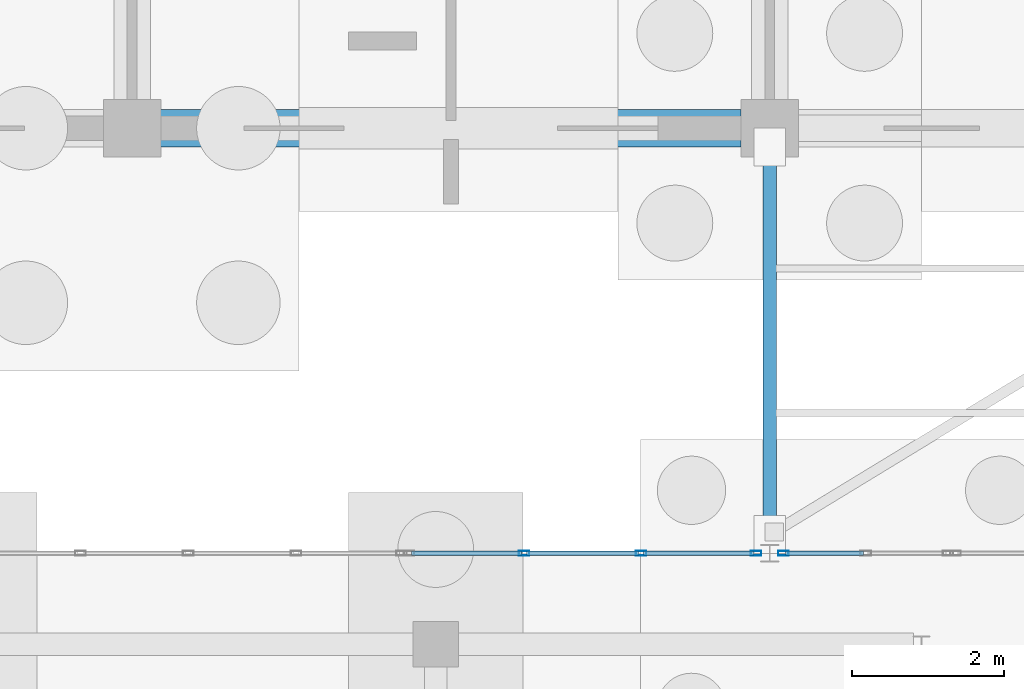
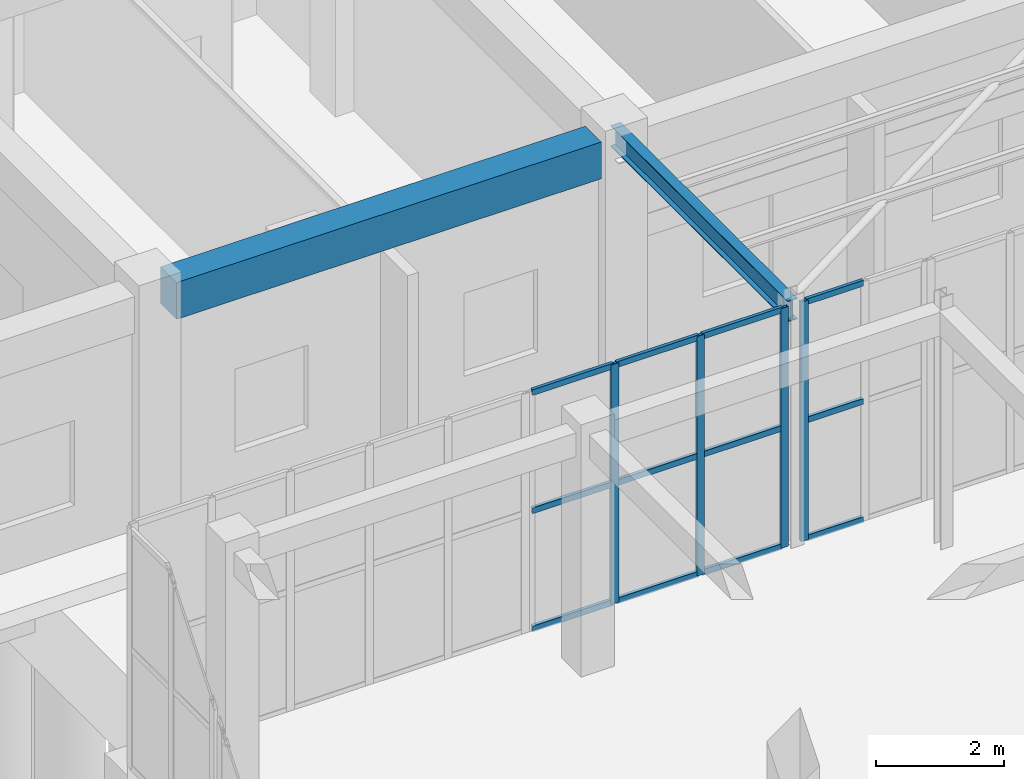
# One storey, part 91 of 192: 16 members, 2 beams, 2 elements without a shape of their own.
"""IFC4 building model written with IfcOpenShell, lengths in metres."""

from ifc_helpers import new_model, si_unit, direction, frame, origin, origin_2d, place, context, subcontext, project, spatial, rectangle, hollow_rectangle, i_section, extrude, material, layer, layer_set, material_profile, profile_set, type_object, element, aggregate, save


model = new_model("IFC4")

# Units and contexts
model_context = context("Model", 3, precision=1e-05, world=origin(), true_north=direction((0.0, 1.0)))
body_context = subcontext(model_context, "Body", "Model", "MODEL_VIEW")
ifc_project = project(units=[si_unit("LENGTHUNIT", "METRE"), si_unit("AREAUNIT", "SQUARE_METRE"), si_unit("VOLUMEUNIT", "CUBIC_METRE"), si_unit("PLANEANGLEUNIT", "RADIAN"), si_unit("MASSUNIT", "GRAM", prefix="KILO")], contexts=[model_context])

# Site, building, storey
site_placement = place(None, origin())
site = spatial("IfcSite", under=ifc_project, at=site_placement, CompositionType="ELEMENT")
building_placement = place(site_placement, origin())
building = spatial("IfcBuilding", under=site, at=building_placement, Name="Trelvath General Hospital", CompositionType="ELEMENT")
storey_placement = place(building_placement, origin())
storey = spatial("IfcBuildingStorey", under=building, at=storey_placement, Name="L00", CompositionType="ELEMENT", Elevation=0.0)

# Beams
ifc_material_1 = material(Name="Concrete C35/45", Category="concrete")
ifc_material_profile_1 = material_profile(ifc_material_1, rectangle(XDim=0.5, YDim=0.699951171875, at=origin_2d()), Name="RCB500x700")
ifc_profile_set_1 = profile_set([ifc_material_profile_1], Name="Concrete C35/45")
beam_type_1 = type_object("IfcBeamType", Name="Beam RC500x700", PredefinedType="BEAM", material=ifc_profile_set_1)
beam_1_placement = place(storey_placement, frame((50.77490234375, 92.39990234375, 4.169921875), z_axis=(1.0, 0.0, 0.0), x_axis=(0.0, 1.0, 0.0)))
element("IfcBeam", 1, at=beam_1_placement, inside=storey, type_object=beam_type_1, Name="Grid Beam BX-006L", PredefinedType="BEAM", context=body_context, shape_type="SweptSolid", body=[
    extrude(rectangle(XDim=0.5, YDim=0.699951171875, at=origin_2d()), origin(), (0.0, 0.0, 1.0), 7.650146484375),
])
ifc_material_2 = material(Name="Steel S355", Category="steel")
ifc_material_profile_2 = material_profile(ifc_material_2, i_section(OverallWidth=0.179931640625, OverallDepth=0.39990234375, WebThickness=0.008544921875, FlangeThickness=0.013427734375, at=origin_2d()), Name="IPE400")
ifc_profile_set_2 = profile_set([ifc_material_profile_2], Name="Steel S355")
beam_type_2 = type_object("IfcBeamType", Name="BridgeGirder IPE400", PredefinedType="BEAM", material=ifc_profile_set_2)
beam_2_placement = place(storey_placement, frame((58.800048828125, 86.840087890625, 4.409912109375), z_axis=(0.0, 1.0, 0.0), x_axis=(-1.0, 0.0, 0.0)))
element("IfcBeam", 2, at=beam_2_placement, inside=storey, type_object=beam_type_2, Name="Bridge Girder BRG-N-W W L01", PredefinedType="BEAM", context=body_context, shape_type="SweptSolid", body=[
    extrude(i_section(OverallWidth=0.179931640625, OverallDepth=0.39990234375, WebThickness=0.008544921875, FlangeThickness=0.013427734375, at=origin_2d()), origin(), (0.0, 0.0, 1.0), 5.52001953125),
])

# Curtain wall, members
ifc_material_3 = material(Name="Anodised aluminium and low-E glass", Category="aluminium")
ifc_layer_1 = layer(ifc_material_3, 0.139892578125)
ifc_layer_set_1 = layer_set([ifc_layer_1], Name="Anodised aluminium and low-E glass")
curtain_wall_type_1 = type_object("IfcCurtainWallType", Name="CW CrystalCube 463 456 14", PredefinedType="USERDEFINED", material=ifc_layer_set_1)
curtain_wall_1_placement = place(storey_placement, origin())
curtain_wall_1 = element("IfcCurtainWall", 3, at=curtain_wall_1_placement, inside=storey, type_object=curtain_wall_type_1, Name="Crystal Cube Curtain Wall CUBE-W-T0 N2 L00", ObjectType="Unitised Glazed Curtain Wall", PredefinedType="USERDEFINED")
ifc_material_4 = material(Name="Anodised aluminium", Category="aluminium")
ifc_material_profile_3 = material_profile(ifc_material_4, hollow_rectangle(XDim=0.06005859375, YDim=0.139892578125, WallThickness=0.00390625, at=origin_2d()), Name="RHS60x140x4")
ifc_profile_set_3 = profile_set([ifc_material_profile_3], Name="Anodised aluminium")
member_type_1 = type_object("IfcMemberType", Name="CurtainMullion 60x140", PredefinedType="MULLION", material=ifc_profile_set_3)
member_1_placement = place(storey_placement, frame((55.563232421875, 86.800048828125, 0.0), z_axis=(0.0, 0.0, 1.0), x_axis=(0.0, 1.0, 0.0)))
member_1 = element("IfcMember", 4, at=member_1_placement, type_object=member_type_1, Name="CW-090 mullion 2", PredefinedType="MULLION", context=body_context, shape_type="SweptSolid", body=[
    extrude(hollow_rectangle(XDim=0.06005859375, YDim=0.139892578125, WallThickness=0.00390625, at=origin_2d()), origin(), (0.0, 0.0, 1.0), 4.56005859375),
])
member_2_placement = place(storey_placement, frame((57.106689453125, 86.800048828125, 0.0), z_axis=(0.0, 0.0, 1.0), x_axis=(0.0, 1.0, 0.0)))
member_2 = element("IfcMember", 5, at=member_2_placement, type_object=member_type_1, Name="CW-090 mullion 3", PredefinedType="MULLION", context=body_context, shape_type="SweptSolid", body=[
    extrude(hollow_rectangle(XDim=0.06005859375, YDim=0.139892578125, WallThickness=0.00390625, at=origin_2d()), origin(), (0.0, 0.0, 1.0), 4.56005859375),
])
member_3_placement = place(storey_placement, frame((58.6201171875, 86.800048828125, 0.0), z_axis=(0.0, 0.0, 1.0), x_axis=(0.0, 1.0, 0.0)))
member_3 = element("IfcMember", 6, at=member_3_placement, type_object=member_type_1, Name="CW-090 mullion 4", PredefinedType="MULLION", context=body_context, shape_type="SweptSolid", body=[
    extrude(hollow_rectangle(XDim=0.06005859375, YDim=0.139892578125, WallThickness=0.00390625, at=origin_2d()), origin(), (0.0, 0.0, 1.0), 4.56005859375),
])

# Curtain wall, member
ifc_material_5 = material(Name="Anodised aluminium and low-E glass", Category="aluminium")
ifc_layer_2 = layer(ifc_material_5, 0.139892578125)
ifc_layer_set_2 = layer_set([ifc_layer_2], Name="Anodised aluminium and low-E glass")
curtain_wall_type_2 = type_object("IfcCurtainWallType", Name="CW CrystalCube 223 456 14", PredefinedType="USERDEFINED", material=ifc_layer_set_2)
curtain_wall_2_placement = place(storey_placement, origin())
curtain_wall_2 = element("IfcCurtainWall", 7, at=curtain_wall_2_placement, inside=storey, type_object=curtain_wall_type_2, Name="Crystal Cube Curtain Wall CUBE-W-T0 N3 L00", ObjectType="Unitised Glazed Curtain Wall", PredefinedType="USERDEFINED")
member_4_placement = place(storey_placement, frame((58.97998046875, 86.800048828125, 0.0), z_axis=(0.0, 0.0, 1.0), x_axis=(0.0, 1.0, 0.0)))
member_4 = element("IfcMember", 8, at=member_4_placement, type_object=member_type_1, Name="CW-091 mullion 1", PredefinedType="MULLION", context=body_context, shape_type="SweptSolid", body=[
    extrude(hollow_rectangle(XDim=0.06005859375, YDim=0.139892578125, WallThickness=0.00390625, at=origin_2d()), origin(), (0.0, 0.0, 1.0), 4.56005859375),
])

# Member
ifc_material_6 = material(Name="Anodised aluminium", Category="aluminium")
ifc_material_profile_4 = material_profile(ifc_material_6, hollow_rectangle(XDim=0.06005859375, YDim=0.110107421875, WallThickness=0.00390625, at=origin_2d()), Name="RHS60x110x4")
ifc_profile_set_4 = profile_set([ifc_material_profile_4], Name="Anodised aluminium")
member_type_2 = type_object("IfcMemberType", Name="CurtainTransom 60x110", PredefinedType="USERDEFINED", material=ifc_profile_set_4)
member_5_placement = place(storey_placement, frame((54.080078125, 86.800048828125, 0.030029296875), z_axis=(1.0, 0.0, 0.0), x_axis=(0.0, 1.0, 0.0)))
member_5 = element("IfcMember", 9, at=member_5_placement, type_object=member_type_2, Name="CW-090 transom 1.1", ObjectType="TRANSOM", PredefinedType="USERDEFINED", context=body_context, shape_type="SweptSolid", body=[
    extrude(hollow_rectangle(XDim=0.06005859375, YDim=0.110107421875, WallThickness=0.00390625, at=origin_2d()), origin(), (0.0, 0.0, 1.0), 1.453369140625),
])

member_6_placement = place(storey_placement, frame((54.080078125, 86.800048828125, 2.280029296875), z_axis=(1.0, 0.0, 0.0), x_axis=(0.0, 1.0, 0.0)))
member_6 = element("IfcMember", 10, at=member_6_placement, type_object=member_type_2, Name="CW-090 transom 1.2", ObjectType="TRANSOM", PredefinedType="USERDEFINED", context=body_context, shape_type="SweptSolid", body=[
    extrude(hollow_rectangle(XDim=0.06005859375, YDim=0.110107421875, WallThickness=0.00390625, at=origin_2d()), origin(), (0.0, 0.0, 1.0), 1.453369140625),
])

member_7_placement = place(storey_placement, frame((54.080078125, 86.800048828125, 4.530029296875), z_axis=(1.0, 0.0, 0.0), x_axis=(0.0, 1.0, 0.0)))
member_7 = element("IfcMember", 11, at=member_7_placement, type_object=member_type_2, Name="CW-090 transom 1.3", ObjectType="TRANSOM", PredefinedType="USERDEFINED", context=body_context, shape_type="SweptSolid", body=[
    extrude(hollow_rectangle(XDim=0.06005859375, YDim=0.110107421875, WallThickness=0.00390625, at=origin_2d()), origin(), (0.0, 0.0, 1.0), 1.453369140625),
])

member_8_placement = place(storey_placement, frame((55.59326171875, 86.800048828125, 0.030029296875), z_axis=(1.0, 0.0, 0.0), x_axis=(0.0, 1.0, 0.0)))
member_8 = element("IfcMember", 12, at=member_8_placement, type_object=member_type_2, Name="CW-090 transom 2.1", ObjectType="TRANSOM", PredefinedType="USERDEFINED", context=body_context, shape_type="SweptSolid", body=[
    extrude(hollow_rectangle(XDim=0.06005859375, YDim=0.110107421875, WallThickness=0.00390625, at=origin_2d()), origin(), (0.0, 0.0, 1.0), 1.4833984375),
])

member_9_placement = place(storey_placement, frame((55.59326171875, 86.800048828125, 2.280029296875), z_axis=(1.0, 0.0, 0.0), x_axis=(0.0, 1.0, 0.0)))
member_9 = element("IfcMember", 13, at=member_9_placement, type_object=member_type_2, Name="CW-090 transom 2.2", ObjectType="TRANSOM", PredefinedType="USERDEFINED", context=body_context, shape_type="SweptSolid", body=[
    extrude(hollow_rectangle(XDim=0.06005859375, YDim=0.110107421875, WallThickness=0.00390625, at=origin_2d()), origin(), (0.0, 0.0, 1.0), 1.4833984375),
])

member_10_placement = place(storey_placement, frame((55.59326171875, 86.800048828125, 4.530029296875), z_axis=(1.0, 0.0, 0.0), x_axis=(0.0, 1.0, 0.0)))
member_10 = element("IfcMember", 14, at=member_10_placement, type_object=member_type_2, Name="CW-090 transom 2.3", ObjectType="TRANSOM", PredefinedType="USERDEFINED", context=body_context, shape_type="SweptSolid", body=[
    extrude(hollow_rectangle(XDim=0.06005859375, YDim=0.110107421875, WallThickness=0.00390625, at=origin_2d()), origin(), (0.0, 0.0, 1.0), 1.4833984375),
])

member_11_placement = place(storey_placement, frame((57.13671875, 86.800048828125, 0.030029296875), z_axis=(1.0, 0.0, 0.0), x_axis=(0.0, 1.0, 0.0)))
member_11 = element("IfcMember", 15, at=member_11_placement, type_object=member_type_2, Name="CW-090 transom 3.1", ObjectType="TRANSOM", PredefinedType="USERDEFINED", context=body_context, shape_type="SweptSolid", body=[
    extrude(hollow_rectangle(XDim=0.06005859375, YDim=0.110107421875, WallThickness=0.00390625, at=origin_2d()), origin(), (0.0, 0.0, 1.0), 1.453369140625),
])

member_12_placement = place(storey_placement, frame((57.13671875, 86.800048828125, 2.280029296875), z_axis=(1.0, 0.0, 0.0), x_axis=(0.0, 1.0, 0.0)))
member_12 = element("IfcMember", 16, at=member_12_placement, type_object=member_type_2, Name="CW-090 transom 3.2", ObjectType="TRANSOM", PredefinedType="USERDEFINED", context=body_context, shape_type="SweptSolid", body=[
    extrude(hollow_rectangle(XDim=0.06005859375, YDim=0.110107421875, WallThickness=0.00390625, at=origin_2d()), origin(), (0.0, 0.0, 1.0), 1.453369140625),
])

member_13_placement = place(storey_placement, frame((57.13671875, 86.800048828125, 4.530029296875), z_axis=(1.0, 0.0, 0.0), x_axis=(0.0, 1.0, 0.0)))
member_13 = element("IfcMember", 17, at=member_13_placement, type_object=member_type_2, Name="CW-090 transom 3.3", ObjectType="TRANSOM", PredefinedType="USERDEFINED", context=body_context, shape_type="SweptSolid", body=[
    extrude(hollow_rectangle(XDim=0.06005859375, YDim=0.110107421875, WallThickness=0.00390625, at=origin_2d()), origin(), (0.0, 0.0, 1.0), 1.453369140625),
])

aggregate(curtain_wall_1, [member_1, member_2, member_3, member_5, member_6, member_7, member_8, member_9, member_10, member_11, member_12, member_13])

member_14_placement = place(storey_placement, frame((59.010009765625, 86.800048828125, 0.030029296875), z_axis=(1.0, 0.0, 0.0), x_axis=(0.0, 1.0, 0.0)))
member_14 = element("IfcMember", 18, at=member_14_placement, type_object=member_type_2, Name="CW-091 transom 1.1", ObjectType="TRANSOM", PredefinedType="USERDEFINED", context=body_context, shape_type="SweptSolid", body=[
    extrude(hollow_rectangle(XDim=0.06005859375, YDim=0.110107421875, WallThickness=0.00390625, at=origin_2d()), origin(), (0.0, 0.0, 1.0), 1.02490234375),
])

member_15_placement = place(storey_placement, frame((59.010009765625, 86.800048828125, 2.280029296875), z_axis=(1.0, 0.0, 0.0), x_axis=(0.0, 1.0, 0.0)))
member_15 = element("IfcMember", 19, at=member_15_placement, type_object=member_type_2, Name="CW-091 transom 1.2", ObjectType="TRANSOM", PredefinedType="USERDEFINED", context=body_context, shape_type="SweptSolid", body=[
    extrude(hollow_rectangle(XDim=0.06005859375, YDim=0.110107421875, WallThickness=0.00390625, at=origin_2d()), origin(), (0.0, 0.0, 1.0), 1.02490234375),
])

member_16_placement = place(storey_placement, frame((59.010009765625, 86.800048828125, 4.530029296875), z_axis=(1.0, 0.0, 0.0), x_axis=(0.0, 1.0, 0.0)))
member_16 = element("IfcMember", 20, at=member_16_placement, type_object=member_type_2, Name="CW-091 transom 1.3", ObjectType="TRANSOM", PredefinedType="USERDEFINED", context=body_context, shape_type="SweptSolid", body=[
    extrude(hollow_rectangle(XDim=0.06005859375, YDim=0.110107421875, WallThickness=0.00390625, at=origin_2d()), origin(), (0.0, 0.0, 1.0), 1.02490234375),
])

aggregate(curtain_wall_2, [member_4, member_14, member_15, member_16])

save(model, "model.ifc")
